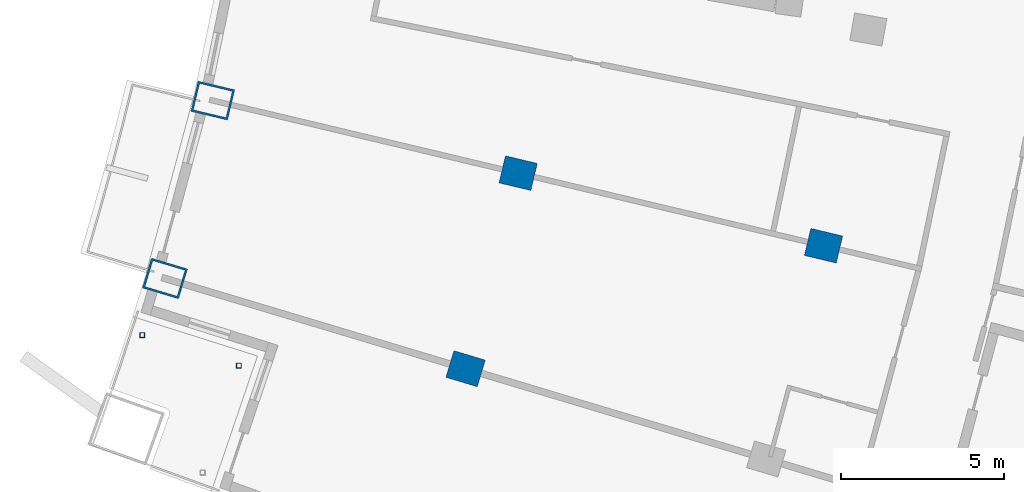
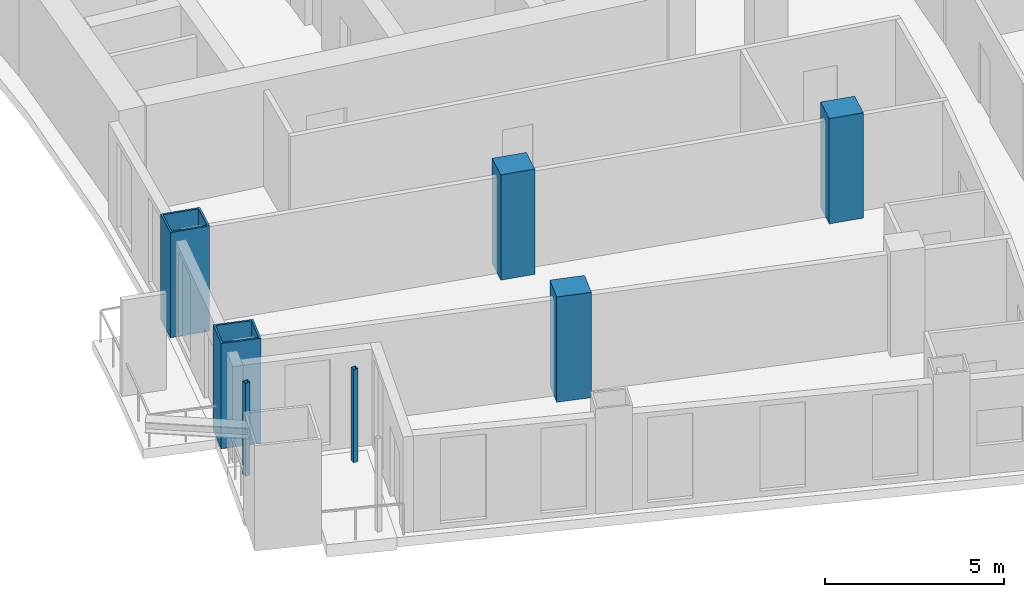
# One storey, part 3 of 25: 7 columns.
"""IFC4 building model written with IfcOpenShell, lengths in metres."""

from ifc_helpers import new_model, si_unit, direction, frame, origin, origin_2d, place, context, subcontext, project, spatial, rectangle, hollow_rectangle, extrude, material, material_profile, profile_set, type_object, element, save


model = new_model("IFC4")

# Units and contexts
model_context = context("Model", 3, precision=1e-05, world=origin(), true_north=direction((0.0, 1.0)))
body_context = subcontext(model_context, "Body", "Model", "MODEL_VIEW")
ifc_project = project(units=[si_unit("LENGTHUNIT", "METRE"), si_unit("AREAUNIT", "SQUARE_METRE"), si_unit("VOLUMEUNIT", "CUBIC_METRE"), si_unit("PLANEANGLEUNIT", "RADIAN"), si_unit("MASSUNIT", "GRAM", prefix="KILO")], contexts=[model_context])

# Site, building, storey
site_placement = place(None, origin())
site = spatial("IfcSite", under=ifc_project, at=site_placement, CompositionType="ELEMENT")
building_placement = place(site_placement, origin())
building = spatial("IfcBuilding", under=site, at=building_placement, Name="Alderwake Tower", CompositionType="ELEMENT")
storey_placement = place(building_placement, frame((0.0, 0.0, 118.39990234375)))
storey = spatial("IfcBuildingStorey", under=building, at=storey_placement, Name="L29", CompositionType="ELEMENT", Elevation=118.39990234375)

# Columns
ifc_material_1 = material(Name="Concrete C70/85", Category="concrete")
ifc_material_profile_1 = material_profile(ifc_material_1, rectangle(XDim=0.85009765625, YDim=1.0, at=origin_2d()), Name="RC 1000X850")
ifc_profile_set_1 = profile_set([ifc_material_profile_1], Name="Concrete C70/85")
column_type_1 = type_object("IfcColumnType", Name="Interior column Z2", PredefinedType="COLUMN", material=ifc_profile_set_1)
for number, where, z_axis, x_axis, name in (
    (1, (21.714599609375, 30.46240234375, 0.0), (0.0, 0.0, 1.0), (0.287549418125, 0.957765802342, 0.0), "Column R02-C1"),
    (2, (23.322021484375, 36.444091796875, 0.0), (0.0, 0.0, 1.0), (0.231221547198, 0.972901123502, 0.0), "Column R03-C1"),
    (3, (32.661865234375, 34.224609375, 0.0), (0.0, 0.0, 1.0), (0.231221547198, 0.972901123502, 0.0), "Column R03-C2"),
):
    element("IfcColumn", number, at=place(storey_placement, frame(where, z_axis=z_axis, x_axis=x_axis)), inside=storey, type_object=column_type_1, Name=name, PredefinedType="COLUMN", context=body_context, shape_type="SweptSolid", body=[
        extrude(rectangle(XDim=0.85009765625, YDim=1.0, at=origin_2d()), origin(), (0.0, 0.0, 1.0), 3.60009765625),
    ])
ifc_material_2 = material(Name="Steel ASTM A500 Grade C", Category="steel")
ifc_material_profile_2 = material_profile(ifc_material_2, hollow_rectangle(XDim=0.15234375, YDim=0.15234375, WallThickness=0.0087890625, at=origin_2d()), Name="HSS6X6X3/8")
ifc_profile_set_2 = profile_set([ifc_material_profile_2], Name="Steel ASTM A500 Grade C")
column_type_2 = type_object("IfcColumnType", Name="Light post HSS6X6X3/8", PredefinedType="COLUMN", material=ifc_profile_set_2)
for number, where, z_axis, x_axis, name in (
    (4, (11.82568359375, 31.492919921875, 0.0), (0.0, 0.0, 1.0), (1.0, 0.0, 0.0), "Terrace post RS1"),
    (5, (14.781494140625, 30.558349609375, 0.0), (0.0, 0.0, 1.0), (1.0, 0.0, 0.0), "Terrace post RS3"),
):
    element("IfcColumn", number, at=place(storey_placement, frame(where, z_axis=z_axis, x_axis=x_axis)), inside=storey, type_object=column_type_2, Name=name, PredefinedType="COLUMN", context=body_context, shape_type="SweptSolid", body=[
        extrude(hollow_rectangle(XDim=0.15234375, YDim=0.15234375, WallThickness=0.0087890625, at=origin_2d()), origin(), (0.0, 0.0, 1.0), 3.18017578125),
    ])
ifc_material_3 = material(Name="Steel ASTM A572 Grade 50 concrete filled C70/85", Category="concrete")
ifc_material_profile_3 = material_profile(ifc_material_3, hollow_rectangle(XDim=0.949951171875, YDim=1.14990234375, WallThickness=0.06005859375, at=origin_2d()), Name="BOX 1150X950X60")
ifc_profile_set_3 = profile_set([ifc_material_profile_3], Name="Steel ASTM A572 Grade 50 concrete filled C70/85")
column_type_3 = type_object("IfcColumnType", Name="Perimeter column Z2", PredefinedType="COLUMN", material=ifc_profile_set_3)
for number, where, z_axis, x_axis, name in (
    (6, (12.520263671875, 33.222900390625, 0.0), (0.0, 0.0, 1.0), (0.287549418125, 0.957765802342, 0.0), "Column R02-C0"),
    (7, (13.982177734375, 38.6640625, 0.0), (0.0, 0.0, 1.0), (0.231221547198, 0.972901123502, 0.0), "Column R03-C0"),
):
    element("IfcColumn", number, at=place(storey_placement, frame(where, z_axis=z_axis, x_axis=x_axis)), inside=storey, type_object=column_type_3, Name=name, PredefinedType="COLUMN", context=body_context, shape_type="SweptSolid", body=[
        extrude(hollow_rectangle(XDim=0.949951171875, YDim=1.14990234375, WallThickness=0.06005859375, at=origin_2d()), origin(), (0.0, 0.0, 1.0), 3.60009765625),
    ])

save(model, "model.ifc")
